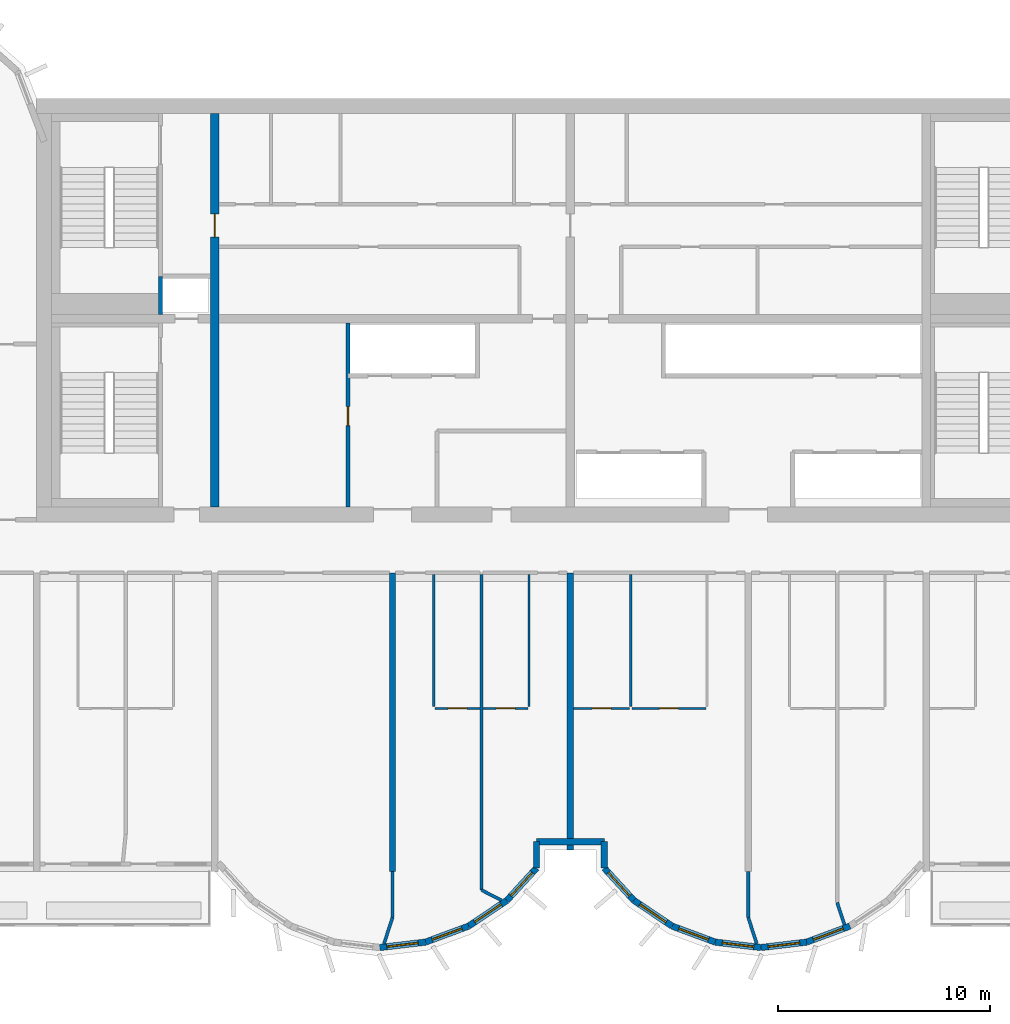
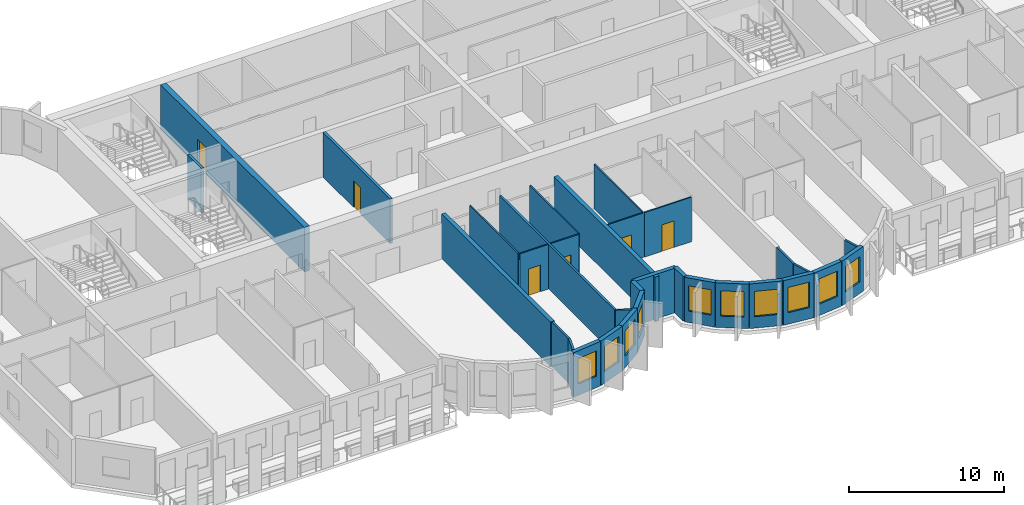
# One storey, part 4 of 13: 32 walls, 10 windows, 6 doors, 16 openings.
"""IFC4 building model written with IfcOpenShell, lengths in metres."""

from ifc_helpers import new_model, si_unit, direction, frame, frame_2d, origin, place, context, subcontext, project, spatial, rectangle, extrude, source, transform, mapped, material, layer, layer_set, type_object, element, fill, save


model = new_model("IFC4")

# Units and contexts
model_context = context("Model", 3, precision=1e-05, world=origin(), true_north=direction((0.0, 1.0)))
body_context = subcontext(model_context, "Body", "Model", "MODEL_VIEW")
ifc_project = project(units=[si_unit("LENGTHUNIT", "METRE"), si_unit("AREAUNIT", "SQUARE_METRE"), si_unit("VOLUMEUNIT", "CUBIC_METRE"), si_unit("PLANEANGLEUNIT", "RADIAN"), si_unit("MASSUNIT", "GRAM", prefix="KILO")], contexts=[model_context])

# Site, building, storey
site_placement = place(None, origin())
site = spatial("IfcSite", under=ifc_project, at=site_placement, CompositionType="ELEMENT")
building_placement = place(site_placement, origin())
building = spatial("IfcBuilding", under=site, at=building_placement, Name="Vanashikhar Sky Hotel", CompositionType="ELEMENT")
storey_placement = place(building_placement, frame((0.0, 0.0, 159.199951171875)))
storey = spatial("IfcBuildingStorey", under=building, at=storey_placement, Name="L38", CompositionType="ELEMENT", Elevation=159.199951171875)

# Wall, opening, door
ifc_material_1 = material(Name="Concrete M60", Category="concrete")
ifc_layer_1 = layer(ifc_material_1, 0.39990234375)
ifc_layer_set_1 = layer_set([ifc_layer_1], Name="RC core inner wall 400 Concrete M60")
wall_type_1 = type_object("IfcWallType", Name="RC core inner wall 400 Concrete M60", PredefinedType="SHEAR", material=ifc_layer_set_1)
shared_shape_1 = source(origin(), body_context, "Body", "SweptSolid", [
    extrude(rectangle(XDim=18.60009765625, YDim=0.39990234375, at=frame_2d((9.300048828125, 0.0))), origin(), (0.0, 0.0, 1.0), 3.52001953125),
])
wall_1_placement = place(storey_placement, frame((33.60009765625, 22.699951171875, 0.0), z_axis=(0.0, 0.0, 1.0), x_axis=(0.0, 1.0, 0.0)))
wall_1 = element("IfcWall", 1, at=wall_1_placement, inside=storey, type_object=wall_type_1, Name="KW-L38-KX1", PredefinedType="SHEAR", context=body_context, shape_type="MappedRepresentation", body=[
    mapped(shared_shape_1, transform((0.0, 0.0, 0.0), scale=1.0)),
])
shared_shape_2 = source(origin(), body_context, "Body", "SweptSolid", [
    extrude(rectangle(XDim=1.10009765625, YDim=2.10009765625, at=frame_2d((0.550048828125, 1.050048828125))), frame((0.0, 0.2099609375, 0.0), z_axis=(0.0, -1.0, 0.0), x_axis=(1.0, 0.0, 0.0)), (0.0, 0.0, 1.0), 0.419921875),
])
opening_1_placement = place(wall_1_placement, frame((12.75, 0.0, 0.0)))
opening_1 = element("IfcOpeningElement", 2, at=opening_1_placement, cuts=wall_1, Name="Opening DC-4-C", PredefinedType="OPENING", context=body_context, shape_type="MappedRepresentation", body=[
    mapped(shared_shape_2, transform((0.0, 0.0, 0.0), scale=1.0)),
])
ifc_material_2 = material(Name="Steel", Category="steel")
door_type_1 = type_object("IfcDoorType", Name="Service door 1100 FD60", OperationType="NOTDEFINED", PredefinedType="DOOR", material=ifc_material_2)
shared_shape_3 = source(origin(), body_context, "Body", "SweptSolid", [
    extrude(rectangle(XDim=1.10009765625, YDim=2.10009765625, at=frame_2d((0.550048828125, 1.050048828125))), frame((0.0, 0.02490234375, 0.0), z_axis=(0.0, -1.0, 0.0), x_axis=(1.0, 0.0, 0.0)), (0.0, 0.0, 1.0), 0.050048828125),
])
door_1_placement = place(opening_1_placement, origin())
door_1 = element("IfcDoor", 3, at=door_1_placement, inside=storey, type_object=door_type_1, Name="Service door 1100 FD60", OperationType="SINGLE_SWING_LEFT", OverallHeight=2.10009765625, OverallWidth=1.10009765625, PredefinedType="DOOR", context=body_context, shape_type="MappedRepresentation", body=[
    mapped(shared_shape_3, transform((0.0, 0.0, 0.0), scale=1.0)),
])
fill(opening_1, door_1)

# Walls
ifc_layer_2 = layer(ifc_material_1, 0.300048828125)
ifc_layer_set_2 = layer_set([ifc_layer_2], Name="RC shear wall 300 Concrete M60")
wall_type_2 = type_object("IfcWallType", Name="RC shear wall 300 Concrete M60", PredefinedType="SHEAR", material=ifc_layer_set_2)
shared_shape_4 = source(origin(), body_context, "Body", "SweptSolid", [
    extrude(rectangle(XDim=14.10009765625, YDim=0.300048828125, at=frame_2d((7.050048828125, 0.0))), origin(), (0.0, 0.0, 1.0), 3.52001953125),
])
wall_2_placement = place(storey_placement, frame((42.0, 5.5, 0.0), z_axis=(0.0, 0.0, 1.0), x_axis=(0.0, 1.0, 0.0)))
element("IfcWall", 4, at=wall_2_placement, inside=storey, type_object=wall_type_2, Name="CW-L38-XW06-1", PredefinedType="SHEAR", context=body_context, shape_type="MappedRepresentation", body=[
    mapped(shared_shape_4, transform((0.0, 0.0, 0.0), scale=1.0)),
])
shared_shape_5 = source(origin(), body_context, "Body", "SweptSolid", [
    extrude(rectangle(XDim=13.10009765625, YDim=0.300048828125, at=frame_2d((6.550048828125, 0.0))), origin(), (0.0, 0.0, 1.0), 3.52001953125),
])
wall_3_placement = place(storey_placement, frame((50.39990234375, 6.5, 0.0), z_axis=(0.0, 0.0, 1.0), x_axis=(0.0, 1.0, 0.0)))
element("IfcWall", 5, at=wall_3_placement, inside=storey, type_object=wall_type_2, Name="CW-L38-XW07-1", PredefinedType="SHEAR", context=body_context, shape_type="MappedRepresentation", body=[
    mapped(shared_shape_5, transform((0.0, 0.0, 0.0), scale=1.0)),
])

# Wall, opening, window
ifc_material_3 = material(Name="Concrete M50", Category="concrete")
ifc_layer_3 = layer(ifc_material_3, 0.300048828125)
ifc_layer_set_3 = layer_set([ifc_layer_3], Name="Lobe wall 300")
wall_type_3 = type_object("IfcWallType", Name="Lobe wall 300", PredefinedType="SOLIDWALL", material=ifc_layer_set_3)
shared_shape_6 = source(origin(), body_context, "Body", "SweptSolid", [
    extrude(rectangle(XDim=2.17578125, YDim=0.300048828125, at=frame_2d((1.087890625, 0.0))), origin(), (0.0, 0.0, 1.0), 3.52001953125),
])
wall_4_placement = place(storey_placement, frame((45.59912109375, 2.91650390625, 0.0), z_axis=(0.0, 0.0, 1.0), x_axis=(0.829625727223, 0.558319937607, 0.0)))
wall_4 = element("IfcWall", 6, at=wall_4_placement, inside=storey, type_object=wall_type_3, Name="Lobe wall", PredefinedType="SOLIDWALL", context=body_context, shape_type="MappedRepresentation", body=[
    mapped(shared_shape_6, transform((0.0, 0.0, 0.0), scale=1.0)),
])
shared_shape_7 = source(origin(), body_context, "Body", "SweptSolid", [
    extrude(rectangle(XDim=1.5, YDim=2.0, at=frame_2d((0.75, 1.0))), frame((0.0, 0.16015625, 0.0), z_axis=(0.0, -1.0, 0.0), x_axis=(1.0, 0.0, 0.0)), (0.0, 0.0, 1.0), 0.320068359375),
])
opening_2_placement = place(wall_4_placement, frame((0.337890625, 0.0, 0.89990234375)))
opening_2 = element("IfcOpeningElement", 7, at=opening_2_placement, cuts=wall_4, Name="Opening WN-2", PredefinedType="OPENING", context=body_context, shape_type="MappedRepresentation", body=[
    mapped(shared_shape_7, transform((0.0, 0.0, 0.0), scale=1.0)),
])
ifc_material_4 = material(Name="Glass", Category="glass")
window_type = type_object("IfcWindowType", Name="Lobe window 1500 x 2000", PartitioningType="SINGLE_PANEL", PredefinedType="WINDOW", material=ifc_material_4)
shared_shape_8 = source(origin(), body_context, "Body", "SweptSolid", [
    extrude(rectangle(XDim=1.5, YDim=2.0, at=frame_2d((0.75, 1.0))), frame((0.0, 0.030029296875, 0.0), z_axis=(0.0, -1.0, 0.0), x_axis=(1.0, 0.0, 0.0)), (0.0, 0.0, 1.0), 0.06005859375),
])
window_1_placement = place(opening_2_placement, origin())
window_1 = element("IfcWindow", 8, at=window_1_placement, inside=storey, type_object=window_type, Name="Window WN-2", OverallHeight=2.0, OverallWidth=1.5, PartitioningType="SINGLE_PANEL", PredefinedType="WINDOW", context=body_context, shape_type="MappedRepresentation", body=[
    mapped(shared_shape_8, transform((0.0, 0.0, 0.0), scale=1.0)),
])
fill(opening_2, window_1)

wall_5_placement = place(storey_placement, frame((53.395751953125, 4.13134765625, 0.0), z_axis=(0.0, 0.0, 1.0), x_axis=(0.829590746428, -0.558371913192, 0.0)))
wall_5 = element("IfcWall", 9, at=wall_5_placement, inside=storey, type_object=wall_type_3, Name="Lobe wall", PredefinedType="SOLIDWALL", context=body_context, shape_type="MappedRepresentation", body=[
    mapped(shared_shape_6, transform((0.0, 0.0, 0.0), scale=1.0)),
])
opening_3_placement = place(wall_5_placement, frame((0.337890625, 0.0, 0.89990234375)))
opening_3 = element("IfcOpeningElement", 10, at=opening_3_placement, cuts=wall_5, Name="Opening WN-2", PredefinedType="OPENING", context=body_context, shape_type="MappedRepresentation", body=[
    mapped(shared_shape_7, transform((0.0, 0.0, 0.0), scale=1.0)),
])
window_2_placement = place(opening_3_placement, origin())
window_2 = element("IfcWindow", 11, at=window_2_placement, inside=storey, type_object=window_type, Name="Window WN-2", OverallHeight=2.0, OverallWidth=1.5, PartitioningType="SINGLE_PANEL", PredefinedType="WINDOW", context=body_context, shape_type="MappedRepresentation", body=[
    mapped(shared_shape_8, transform((0.0, 0.0, 0.0), scale=1.0)),
])
fill(opening_3, window_2)

wall_6_placement = place(storey_placement, frame((55.20068359375, 2.91650390625, 0.0), z_axis=(0.0, 0.0, 1.0), x_axis=(0.93754555999, -0.347862505801, 0.0)))
wall_6 = element("IfcWall", 12, at=wall_6_placement, inside=storey, type_object=wall_type_3, Name="Lobe wall", PredefinedType="SOLIDWALL", context=body_context, shape_type="MappedRepresentation", body=[
    mapped(shared_shape_6, transform((0.0, 0.0, 0.0), scale=1.0)),
])
opening_4_placement = place(wall_6_placement, frame((0.337890625, 0.0, 0.89990234375)))
opening_4 = element("IfcOpeningElement", 13, at=opening_4_placement, cuts=wall_6, Name="Opening WN-2", PredefinedType="OPENING", context=body_context, shape_type="MappedRepresentation", body=[
    mapped(shared_shape_7, transform((0.0, 0.0, 0.0), scale=1.0)),
])
window_3_placement = place(opening_4_placement, origin())
window_3 = element("IfcWindow", 14, at=window_3_placement, inside=storey, type_object=window_type, Name="Window WN-2", OverallHeight=2.0, OverallWidth=1.5, PartitioningType="SINGLE_PANEL", PredefinedType="WINDOW", context=body_context, shape_type="MappedRepresentation", body=[
    mapped(shared_shape_8, transform((0.0, 0.0, 0.0), scale=1.0)),
])
fill(opening_4, window_3)

shared_shape_9 = source(origin(), body_context, "Body", "SweptSolid", [
    extrude(rectangle(XDim=2.174560546875, YDim=0.300048828125, at=frame_2d((1.08740234375, 0.0))), origin(), (0.0, 0.0, 1.0), 3.52001953125),
])
wall_7_placement = place(storey_placement, frame((57.240478515625, 2.15966796875, 0.0), z_axis=(0.0, 0.0, 1.0), x_axis=(0.993001132889, -0.118104826659, 0.0)))
wall_7 = element("IfcWall", 15, at=wall_7_placement, inside=storey, type_object=wall_type_3, Name="Lobe wall", PredefinedType="SOLIDWALL", context=body_context, shape_type="MappedRepresentation", body=[
    mapped(shared_shape_9, transform((0.0, 0.0, 0.0), scale=1.0)),
])
opening_5_placement = place(wall_7_placement, frame((0.33740234375, 0.0, 0.89990234375)))
opening_5 = element("IfcOpeningElement", 16, at=opening_5_placement, cuts=wall_7, Name="Opening WN-2", PredefinedType="OPENING", context=body_context, shape_type="MappedRepresentation", body=[
    mapped(shared_shape_7, transform((0.0, 0.0, 0.0), scale=1.0)),
])
window_4_placement = place(opening_5_placement, origin())
window_4 = element("IfcWindow", 17, at=window_4_placement, inside=storey, type_object=window_type, Name="Window WN-2", OverallHeight=2.0, OverallWidth=1.5, PartitioningType="SINGLE_PANEL", PredefinedType="WINDOW", context=body_context, shape_type="MappedRepresentation", body=[
    mapped(shared_shape_8, transform((0.0, 0.0, 0.0), scale=1.0)),
])
fill(opening_5, window_4)

shared_shape_10 = source(origin(), body_context, "Body", "SweptSolid", [
    extrude(rectangle(XDim=2.1748046875, YDim=0.300048828125, at=frame_2d((1.08740234375, 0.0))), origin(), (0.0, 0.0, 1.0), 3.52001953125),
])
wall_8_placement = place(storey_placement, frame((41.39990234375, 1.90283203125, 0.0), z_axis=(0.0, 0.0, 1.0), x_axis=(0.993002698611, 0.118091661648, 0.0)))
wall_8 = element("IfcWall", 18, at=wall_8_placement, inside=storey, type_object=wall_type_3, Name="Lobe wall", PredefinedType="SOLIDWALL", context=body_context, shape_type="MappedRepresentation", body=[
    mapped(shared_shape_10, transform((0.0, 0.0, 0.0), scale=1.0)),
])
opening_6_placement = place(wall_8_placement, frame((0.33740234375, 0.0, 0.89990234375)))
opening_6 = element("IfcOpeningElement", 19, at=opening_6_placement, cuts=wall_8, Name="Opening WN-2", PredefinedType="OPENING", context=body_context, shape_type="MappedRepresentation", body=[
    mapped(shared_shape_7, transform((0.0, 0.0, 0.0), scale=1.0)),
])
window_5_placement = place(opening_6_placement, origin())
window_5 = element("IfcWindow", 20, at=window_5_placement, inside=storey, type_object=window_type, Name="Window WN-2", OverallHeight=2.0, OverallWidth=1.5, PartitioningType="SINGLE_PANEL", PredefinedType="WINDOW", context=body_context, shape_type="MappedRepresentation", body=[
    mapped(shared_shape_8, transform((0.0, 0.0, 0.0), scale=1.0)),
])
fill(opening_6, window_5)

wall_9_placement = place(storey_placement, frame((59.39990234375, 1.90283203125, 0.0), z_axis=(0.0, 0.0, 1.0), x_axis=(0.993002698611, 0.118091661648, 0.0)))
wall_9 = element("IfcWall", 21, at=wall_9_placement, inside=storey, type_object=wall_type_3, Name="Lobe wall", PredefinedType="SOLIDWALL", context=body_context, shape_type="MappedRepresentation", body=[
    mapped(shared_shape_10, transform((0.0, 0.0, 0.0), scale=1.0)),
])
opening_7_placement = place(wall_9_placement, frame((0.33740234375, 0.0, 0.89990234375)))
opening_7 = element("IfcOpeningElement", 22, at=opening_7_placement, cuts=wall_9, Name="Opening WN-2", PredefinedType="OPENING", context=body_context, shape_type="MappedRepresentation", body=[
    mapped(shared_shape_7, transform((0.0, 0.0, 0.0), scale=1.0)),
])
window_6_placement = place(opening_7_placement, origin())
window_6 = element("IfcWindow", 23, at=window_6_placement, inside=storey, type_object=window_type, Name="Window WN-2", OverallHeight=2.0, OverallWidth=1.5, PartitioningType="SINGLE_PANEL", PredefinedType="WINDOW", context=body_context, shape_type="MappedRepresentation", body=[
    mapped(shared_shape_8, transform((0.0, 0.0, 0.0), scale=1.0)),
])
fill(opening_7, window_6)

shared_shape_11 = source(origin(), body_context, "Body", "SweptSolid", [
    extrude(rectangle(XDim=2.175537109375, YDim=0.300048828125, at=frame_2d((1.087890625, 0.0))), origin(), (0.0, 0.0, 1.0), 3.52001953125),
])
wall_10_placement = place(storey_placement, frame((43.5595703125, 2.15966796875, 0.0), z_axis=(0.0, 0.0, 1.0), x_axis=(0.937531979054, 0.347899106424, 0.0)))
wall_10 = element("IfcWall", 24, at=wall_10_placement, inside=storey, type_object=wall_type_3, Name="Lobe wall", PredefinedType="SOLIDWALL", context=body_context, shape_type="MappedRepresentation", body=[
    mapped(shared_shape_11, transform((0.0, 0.0, 0.0), scale=1.0)),
])
opening_8_placement = place(wall_10_placement, frame((0.337890625, 0.0, 0.89990234375)))
opening_8 = element("IfcOpeningElement", 25, at=opening_8_placement, cuts=wall_10, Name="Opening WN-2", PredefinedType="OPENING", context=body_context, shape_type="MappedRepresentation", body=[
    mapped(shared_shape_7, transform((0.0, 0.0, 0.0), scale=1.0)),
])
window_7_placement = place(opening_8_placement, origin())
window_7 = element("IfcWindow", 26, at=window_7_placement, inside=storey, type_object=window_type, Name="Window WN-2", OverallHeight=2.0, OverallWidth=1.5, PartitioningType="SINGLE_PANEL", PredefinedType="WINDOW", context=body_context, shape_type="MappedRepresentation", body=[
    mapped(shared_shape_8, transform((0.0, 0.0, 0.0), scale=1.0)),
])
fill(opening_8, window_7)

wall_11_placement = place(storey_placement, frame((61.5595703125, 2.15966796875, 0.0), z_axis=(0.0, 0.0, 1.0), x_axis=(0.937531979054, 0.347899106424, 0.0)))
wall_11 = element("IfcWall", 27, at=wall_11_placement, inside=storey, type_object=wall_type_3, Name="Lobe wall", PredefinedType="SOLIDWALL", context=body_context, shape_type="MappedRepresentation", body=[
    mapped(shared_shape_11, transform((0.0, 0.0, 0.0), scale=1.0)),
])
opening_9_placement = place(wall_11_placement, frame((0.337890625, 0.0, 0.89990234375)))
opening_9 = element("IfcOpeningElement", 28, at=opening_9_placement, cuts=wall_11, Name="Opening WN-2", PredefinedType="OPENING", context=body_context, shape_type="MappedRepresentation", body=[
    mapped(shared_shape_7, transform((0.0, 0.0, 0.0), scale=1.0)),
])
window_8_placement = place(opening_9_placement, origin())
window_8 = element("IfcWindow", 29, at=window_8_placement, inside=storey, type_object=window_type, Name="Window WN-2", OverallHeight=2.0, OverallWidth=1.5, PartitioningType="SINGLE_PANEL", PredefinedType="WINDOW", context=body_context, shape_type="MappedRepresentation", body=[
    mapped(shared_shape_8, transform((0.0, 0.0, 0.0), scale=1.0)),
])
fill(opening_9, window_8)

shared_shape_12 = source(origin(), body_context, "Body", "SweptSolid", [
    extrude(rectangle(XDim=2.066650390625, YDim=0.300048828125, at=frame_2d((1.033203125, 0.0))), origin(), (0.0, 0.0, 1.0), 3.52001953125),
])
wall_12_placement = place(storey_placement, frame((47.404296875, 4.13134765625, 0.0), z_axis=(0.0, 0.0, 1.0), x_axis=(0.675355439877, 0.737492393065, 0.0)))
wall_12 = element("IfcWall", 30, at=wall_12_placement, inside=storey, type_object=wall_type_3, Name="Lobe wall", PredefinedType="SOLIDWALL", context=body_context, shape_type="MappedRepresentation", body=[
    mapped(shared_shape_12, transform((0.0, 0.0, 0.0), scale=1.0)),
])
opening_10_placement = place(wall_12_placement, frame((0.283447265625, 0.0, 0.89990234375)))
opening_10 = element("IfcOpeningElement", 31, at=opening_10_placement, cuts=wall_12, Name="Opening WN-2", PredefinedType="OPENING", context=body_context, shape_type="MappedRepresentation", body=[
    mapped(shared_shape_7, transform((0.0, 0.0, 0.0), scale=1.0)),
])
window_9_placement = place(opening_10_placement, origin())
window_9 = element("IfcWindow", 32, at=window_9_placement, inside=storey, type_object=window_type, Name="Window WN-2", OverallHeight=2.0, OverallWidth=1.5, PartitioningType="SINGLE_PANEL", PredefinedType="WINDOW", context=body_context, shape_type="MappedRepresentation", body=[
    mapped(shared_shape_8, transform((0.0, 0.0, 0.0), scale=1.0)),
])
fill(opening_10, window_9)

wall_13_placement = place(storey_placement, frame((52.0, 5.655517578125, 0.0), z_axis=(0.0, 0.0, 1.0), x_axis=(0.675355439877, -0.737492393065, 0.0)))
wall_13 = element("IfcWall", 33, at=wall_13_placement, inside=storey, type_object=wall_type_3, Name="Lobe wall", PredefinedType="SOLIDWALL", context=body_context, shape_type="MappedRepresentation", body=[
    mapped(shared_shape_12, transform((0.0, 0.0, 0.0), scale=1.0)),
])
opening_11_placement = place(wall_13_placement, frame((0.283447265625, 0.0, 0.89990234375)))
opening_11 = element("IfcOpeningElement", 34, at=opening_11_placement, cuts=wall_13, Name="Opening WN-2", PredefinedType="OPENING", context=body_context, shape_type="MappedRepresentation", body=[
    mapped(shared_shape_7, transform((0.0, 0.0, 0.0), scale=1.0)),
])
window_10_placement = place(opening_11_placement, origin())
window_10 = element("IfcWindow", 35, at=window_10_placement, inside=storey, type_object=window_type, Name="Window WN-2", OverallHeight=2.0, OverallWidth=1.5, PartitioningType="SINGLE_PANEL", PredefinedType="WINDOW", context=body_context, shape_type="MappedRepresentation", body=[
    mapped(shared_shape_8, transform((0.0, 0.0, 0.0), scale=1.0)),
])
fill(opening_11, window_10)

# Walls
shared_shape_13 = source(origin(), body_context, "Body", "SweptSolid", [
    extrude(rectangle(XDim=1.244384765625, YDim=0.300048828125, at=frame_2d((0.6220703125, 0.0))), origin(), (0.0, 0.0, 1.0), 3.52001953125),
])
for number, where, z_axis, x_axis, name in (
    (36, (48.800048828125, 5.655517578125, 0.0), (0.0, 0.0, 1.0), (0.0, 1.0, 0.0), "Groove wall"),
    (37, (52.0, 6.89990234375, 0.0), (0.0, 0.0, 1.0), (0.0, -1.0, 0.0), "Groove wall"),
):
    element("IfcWall", number, at=place(storey_placement, frame(where, z_axis=z_axis, x_axis=x_axis)), inside=storey, type_object=wall_type_3, Name=name, PredefinedType="SOLIDWALL", context=body_context, shape_type="MappedRepresentation", body=[
        mapped(shared_shape_13, transform((0.0, 0.0, 0.0), scale=1.0)),
    ])
shared_shape_14 = source(origin(), body_context, "Body", "SweptSolid", [
    extrude(rectangle(XDim=3.199951171875, YDim=0.300048828125, at=frame_2d((1.60009765625, 0.0))), origin(), (0.0, 0.0, 1.0), 3.52001953125),
])
wall_14_placement = place(storey_placement, frame((48.800048828125, 6.89990234375, 0.0), z_axis=(0.0, 0.0, 1.0), x_axis=(1.0, 0.0, 0.0)))
element("IfcWall", 38, at=wall_14_placement, inside=storey, type_object=wall_type_3, Name="Groove wall", PredefinedType="SOLIDWALL", context=body_context, shape_type="MappedRepresentation", body=[
    mapped(shared_shape_14, transform((0.0, 0.0, 0.0), scale=1.0)),
])

# Wall, opening, door
ifc_material_5 = material(Name="Gypsum board partition")
ifc_layer_4 = layer(ifc_material_5, 0.14990234375)
ifc_layer_set_4 = layer_set([ifc_layer_4], Name="Service partition 150")
wall_type_4 = type_object("IfcWallType", Name="Service partition 150", PredefinedType="PARTITIONING", material=ifc_layer_set_4)
shared_shape_15 = source(origin(), body_context, "Body", "SweptSolid", [
    extrude(rectangle(XDim=8.699951171875, YDim=0.199951171875, at=frame_2d((4.35009765625, 0.0))), origin(), (0.0, 0.0, 1.0), 3.52001953125),
])
wall_15_placement = place(storey_placement, frame((39.89990234375, 22.699951171875, 0.0), z_axis=(0.0, 0.0, 1.0), x_axis=(0.0, 1.0, 0.0)))
wall_15 = element("IfcWall", 39, at=wall_15_placement, inside=storey, type_object=wall_type_4, Name="Service partition 150", PredefinedType="PARTITIONING", context=body_context, shape_type="MappedRepresentation", body=[
    mapped(shared_shape_15, transform((0.0, 0.0, 0.0), scale=1.0)),
])
shared_shape_16 = source(origin(), body_context, "Body", "SweptSolid", [
    extrude(rectangle(XDim=0.89990234375, YDim=2.10009765625, at=frame_2d((0.449951171875, 1.050048828125))), frame((0.0, 0.10986328125, 0.0), z_axis=(0.0, -1.0, 0.0), x_axis=(1.0, 0.0, 0.0)), (0.0, 0.0, 1.0), 0.219970703125),
])
opening_12_placement = place(wall_15_placement, frame((3.85009765625, 0.0, 0.0)))
opening_12 = element("IfcOpeningElement", 40, at=opening_12_placement, cuts=wall_15, Name="Opening DC-4-A", PredefinedType="OPENING", context=body_context, shape_type="MappedRepresentation", body=[
    mapped(shared_shape_16, transform((0.0, 0.0, 0.0), scale=1.0)),
])
door_type_2 = type_object("IfcDoorType", Name="Service door 900 FD60", OperationType="NOTDEFINED", PredefinedType="DOOR", material=ifc_material_2)
shared_shape_17 = source(origin(), body_context, "Body", "SweptSolid", [
    extrude(rectangle(XDim=0.89990234375, YDim=2.10009765625, at=frame_2d((0.449951171875, 1.050048828125))), frame((0.0, 0.02490234375, 0.0), z_axis=(0.0, -1.0, 0.0), x_axis=(1.0, 0.0, 0.0)), (0.0, 0.0, 1.0), 0.050048828125),
])
door_2_placement = place(opening_12_placement, origin())
door_2 = element("IfcDoor", 41, at=door_2_placement, inside=storey, type_object=door_type_2, Name="Service door 900 FD60", OperationType="SINGLE_SWING_RIGHT", OverallHeight=2.10009765625, OverallWidth=0.89990234375, PredefinedType="DOOR", context=body_context, shape_type="MappedRepresentation", body=[
    mapped(shared_shape_17, transform((0.0, 0.0, 0.0), scale=1.0)),
])
fill(opening_12, door_2)

# Walls
ifc_material_6 = material(Name="Concrete M40", Category="concrete")
ifc_layer_5 = layer(ifc_material_6, 0.199951171875)
ifc_layer_set_5 = layer_set([ifc_layer_5], Name="Shaft wall 200")
wall_type_5 = type_object("IfcWallType", Name="Shaft wall 200", PredefinedType="SOLIDWALL", material=ifc_layer_set_5)
shared_shape_18 = source(origin(), body_context, "Body", "SweptSolid", [
    extrude(rectangle(XDim=1.800048828125, YDim=0.199951171875, at=frame_2d((0.89990234375, 0.0))), origin(), (0.0, 0.0, 1.0), 3.52001953125),
])
wall_16_placement = place(storey_placement, frame((31.050048828125, 31.800048828125, 0.0), z_axis=(0.0, 0.0, 1.0), x_axis=(0.0, 1.0, 0.0)))
element("IfcWall", 42, at=wall_16_placement, inside=storey, type_object=wall_type_5, Name="Shaft wall 200", PredefinedType="SOLIDWALL", context=body_context, shape_type="MappedRepresentation", body=[
    mapped(shared_shape_18, transform((0.0, 0.0, 0.0), scale=1.0)),
])
ifc_material_7 = material(Name="Gypsum plasterboard partition")
ifc_layer_6 = layer(ifc_material_7, 0.14990234375)
ifc_layer_set_6 = layer_set([ifc_layer_6], Name="Corridor and demising partition 150")
wall_type_6 = type_object("IfcWallType", Name="Corridor and demising partition 150", PredefinedType="PARTITIONING", material=ifc_layer_set_6)
shared_shape_19 = source(origin(), body_context, "Body", "SweptSolid", [
    extrude(rectangle(XDim=2.177978515625, YDim=0.14990234375, at=frame_2d((1.0888671875, 0.0))), origin(), (0.0, 0.0, 1.0), 3.52001953125),
])
for number, where, z_axis, x_axis, name in (
    (43, (42.0, 3.322021484375, 0.0), (0.0, 0.0, 1.0), (0.0, 1.0, 0.0), "W-L38-PW053"),
    (44, (58.800048828125, 3.322021484375, 0.0), (0.0, 0.0, 1.0), (0.0, 1.0, 0.0), "W-L38-PW054"),
):
    element("IfcWall", number, at=place(storey_placement, frame(where, z_axis=z_axis, x_axis=x_axis)), inside=storey, type_object=wall_type_6, Name=name, PredefinedType="PARTITIONING", context=body_context, shape_type="MappedRepresentation", body=[
        mapped(shared_shape_19, transform((0.0, 0.0, 0.0), scale=1.0)),
    ])

# Wall, opening, door
ifc_layer_7 = layer(ifc_material_7, 0.10009765625)
ifc_layer_set_7 = layer_set([ifc_layer_7], Name="Wet room partition 100")
wall_type_7 = type_object("IfcWallType", Name="Wet room partition 100", PredefinedType="PARTITIONING", material=ifc_layer_set_7)
shared_shape_20 = source(origin(), body_context, "Body", "SweptSolid", [
    extrude(rectangle(XDim=3.5, YDim=0.10009765625, at=frame_2d((1.75, 0.0))), origin(), (0.0, 0.0, 1.0), 3.52001953125),
])
wall_17_placement = place(storey_placement, frame((53.300048828125, 13.199951171875, 0.0), z_axis=(0.0, 0.0, 1.0), x_axis=(1.0, 0.0, 0.0)))
wall_17 = element("IfcWall", 45, at=wall_17_placement, inside=storey, type_object=wall_type_7, Name="W-L38-PW024", PredefinedType="PARTITIONING", context=body_context, shape_type="MappedRepresentation", body=[
    mapped(shared_shape_20, transform((0.0, 0.0, 0.0), scale=1.0)),
])
shared_shape_21 = source(origin(), body_context, "Body", "SweptSolid", [
    extrude(rectangle(XDim=0.89990234375, YDim=2.10009765625, at=frame_2d((0.449951171875, 1.050048828125))), frame((0.0, 0.06005859375, 0.0), z_axis=(0.0, -1.0, 0.0), x_axis=(1.0, 0.0, 0.0)), (0.0, 0.0, 1.0), 0.1201171875),
])
opening_13_placement = place(wall_17_placement, frame((1.300048828125, 0.0, 0.0)))
opening_13 = element("IfcOpeningElement", 46, at=opening_13_placement, cuts=wall_17, Name="Opening D-02", PredefinedType="OPENING", context=body_context, shape_type="MappedRepresentation", body=[
    mapped(shared_shape_21, transform((0.0, 0.0, 0.0), scale=1.0)),
])
ifc_material_8 = material(Name="Timber door", Category="wood")
door_type_3 = type_object("IfcDoorType", Name="Internal door 900", OperationType="NOTDEFINED", PredefinedType="DOOR", material=ifc_material_8)
door_3_placement = place(opening_13_placement, origin())
door_3 = element("IfcDoor", 47, at=door_3_placement, inside=storey, type_object=door_type_3, Name="D-L38-014", OperationType="SINGLE_SWING_RIGHT", OverallHeight=2.10009765625, OverallWidth=0.89990234375, PredefinedType="DOOR", context=body_context, shape_type="MappedRepresentation", body=[
    mapped(shared_shape_17, transform((0.0, 0.0, 0.0), scale=1.0)),
])
fill(opening_13, door_3)

# Walls
shared_shape_22 = source(origin(), body_context, "Body", "SweptSolid", [
    extrude(rectangle(XDim=1.100830078125, YDim=0.14990234375, at=frame_2d((0.55029296875, 0.0))), origin(), (0.0, 0.0, 1.0), 3.52001953125),
])
wall_18_placement = place(storey_placement, frame((63.343017578125, 2.98095703125, 0.0), z_axis=(0.0, 0.0, 1.0), x_axis=(-0.311567081539, 0.950224159712, 0.0)))
element("IfcWall", 48, at=wall_18_placement, inside=storey, type_object=wall_type_6, Name="W-L38-PW033B0", PredefinedType="PARTITIONING", context=body_context, shape_type="MappedRepresentation", body=[
    mapped(shared_shape_22, transform((0.0, 0.0, 0.0), scale=1.0)),
])
shared_shape_23 = source(origin(), body_context, "Body", "SweptSolid", [
    extrude(rectangle(XDim=1.0576171875, YDim=0.14990234375, at=frame_2d((0.52880859375, 0.0))), origin(), (0.0, 0.0, 1.0), 3.52001953125),
])
wall_19_placement = place(storey_placement, frame((47.139892578125, 4.134033203125, 0.0), z_axis=(0.0, 0.0, 1.0), x_axis=(-0.888723819054, 0.458442988218, 0.0)))
element("IfcWall", 49, at=wall_19_placement, inside=storey, type_object=wall_type_6, Name="W-L38-PW021B0", PredefinedType="PARTITIONING", context=body_context, shape_type="MappedRepresentation", body=[
    mapped(shared_shape_23, transform((0.0, 0.0, 0.0), scale=1.0)),
])
shared_shape_24 = source(origin(), body_context, "Body", "SweptSolid", [
    extrude(rectangle(XDim=1.308349609375, YDim=0.14990234375, at=frame_2d((0.654296875, 0.0))), origin(), (0.0, 0.0, 1.0), 3.52001953125),
])
for number, where, z_axis, x_axis, name in (
    (50, (41.597900390625, 2.076904296875, 0.0), (0.0, 0.0, 1.0), (0.307313512187, 0.951608325535, 0.0), "W-L38-PW053B0"),
    (51, (59.201904296875, 2.076904296875, 0.0), (0.0, 0.0, 1.0), (-0.307144529633, 0.951662880392, 0.0), "W-L38-PW054B0"),
):
    element("IfcWall", number, at=place(storey_placement, frame(where, z_axis=z_axis, x_axis=x_axis)), inside=storey, type_object=wall_type_6, Name=name, PredefinedType="PARTITIONING", context=body_context, shape_type="MappedRepresentation", body=[
        mapped(shared_shape_24, transform((0.0, 0.0, 0.0), scale=1.0)),
    ])
shared_shape_25 = source(origin(), body_context, "Body", "SweptSolid", [
    extrude(rectangle(XDim=6.25, YDim=0.10009765625, at=frame_2d((3.125, 0.0))), origin(), (0.0, 0.0, 1.0), 3.52001953125),
])
for number, where, z_axis, x_axis, name in (
    (52, (43.949951171875, 13.27490234375, 0.0), (0.0, 0.0, 1.0), (0.0, 1.0, 0.0), "W-L38-PW015"),
    (53, (48.449951171875, 13.27490234375, 0.0), (0.0, 0.0, 1.0), (0.0, 1.0, 0.0), "W-L38-PW018"),
    (54, (53.25, 13.27490234375, 0.0), (0.0, 0.0, 1.0), (0.0, 1.0, 0.0), "W-L38-PW023"),
):
    element("IfcWall", number, at=place(storey_placement, frame(where, z_axis=z_axis, x_axis=x_axis)), inside=storey, type_object=wall_type_7, Name=name, PredefinedType="PARTITIONING", context=body_context, shape_type="MappedRepresentation", body=[
        mapped(shared_shape_25, transform((0.0, 0.0, 0.0), scale=1.0)),
    ])
shared_shape_26 = source(origin(), body_context, "Body", "SweptSolid", [
    extrude(rectangle(XDim=14.906005859375, YDim=0.14990234375, at=frame_2d((7.453125, 0.0))), origin(), (0.0, 0.0, 1.0), 3.52001953125),
])
wall_20_placement = place(storey_placement, frame((46.199951171875, 4.618896484375, 0.0), z_axis=(0.0, 0.0, 1.0), x_axis=(0.0, 1.0, 0.0)))
element("IfcWall", 55, at=wall_20_placement, inside=storey, type_object=wall_type_6, Name="W-L38-PW021", PredefinedType="PARTITIONING", context=body_context, shape_type="MappedRepresentation", body=[
    mapped(shared_shape_26, transform((0.0, 0.0, 0.0), scale=1.0)),
])

# Wall, opening, door
shared_shape_27 = source(origin(), body_context, "Body", "SweptSolid", [
    extrude(rectangle(XDim=2.125, YDim=0.10009765625, at=frame_2d((1.0625, 0.0))), origin(), (0.0, 0.0, 1.0), 3.52001953125),
])
wall_21_placement = place(storey_placement, frame((44.0, 13.199951171875, 0.0), z_axis=(0.0, 0.0, 1.0), x_axis=(1.0, 0.0, 0.0)))
wall_21 = element("IfcWall", 56, at=wall_21_placement, inside=storey, type_object=wall_type_7, Name="W-L38-PW016", PredefinedType="PARTITIONING", context=body_context, shape_type="MappedRepresentation", body=[
    mapped(shared_shape_27, transform((0.0, 0.0, 0.0), scale=1.0)),
])
opening_14_placement = place(wall_21_placement, frame((0.612060546875, 0.0, 0.0)))
opening_14 = element("IfcOpeningElement", 57, at=opening_14_placement, cuts=wall_21, Name="Opening D-02", PredefinedType="OPENING", context=body_context, shape_type="MappedRepresentation", body=[
    mapped(shared_shape_21, transform((0.0, 0.0, 0.0), scale=1.0)),
])
door_4_placement = place(opening_14_placement, origin())
door_4 = element("IfcDoor", 58, at=door_4_placement, inside=storey, type_object=door_type_3, Name="D-L38-010", OperationType="SINGLE_SWING_LEFT", OverallHeight=2.10009765625, OverallWidth=0.89990234375, PredefinedType="DOOR", context=body_context, shape_type="MappedRepresentation", body=[
    mapped(shared_shape_17, transform((0.0, 0.0, 0.0), scale=1.0)),
])
fill(opening_14, door_4)

wall_22_placement = place(storey_placement, frame((46.27490234375, 13.199951171875, 0.0), z_axis=(0.0, 0.0, 1.0), x_axis=(1.0, 0.0, 0.0)))
wall_22 = element("IfcWall", 59, at=wall_22_placement, inside=storey, type_object=wall_type_7, Name="W-L38-PW019", PredefinedType="PARTITIONING", context=body_context, shape_type="MappedRepresentation", body=[
    mapped(shared_shape_27, transform((0.0, 0.0, 0.0), scale=1.0)),
])
opening_15_placement = place(wall_22_placement, frame((0.613037109375, 0.0, 0.0)))
opening_15 = element("IfcOpeningElement", 60, at=opening_15_placement, cuts=wall_22, Name="Opening D-02", PredefinedType="OPENING", context=body_context, shape_type="MappedRepresentation", body=[
    mapped(shared_shape_21, transform((0.0, 0.0, 0.0), scale=1.0)),
])
door_5_placement = place(opening_15_placement, origin())
door_5 = element("IfcDoor", 61, at=door_5_placement, inside=storey, type_object=door_type_3, Name="D-L38-012", OperationType="SINGLE_SWING_RIGHT", OverallHeight=2.10009765625, OverallWidth=0.89990234375, PredefinedType="DOOR", context=body_context, shape_type="MappedRepresentation", body=[
    mapped(shared_shape_17, transform((0.0, 0.0, 0.0), scale=1.0)),
])
fill(opening_15, door_5)

shared_shape_28 = source(origin(), body_context, "Body", "SweptSolid", [
    extrude(rectangle(XDim=2.64990234375, YDim=0.10009765625, at=frame_2d((1.324951171875, 0.0))), origin(), (0.0, 0.0, 1.0), 3.52001953125),
])
wall_23_placement = place(storey_placement, frame((50.550048828125, 13.199951171875, 0.0), z_axis=(0.0, 0.0, 1.0), x_axis=(1.0, 0.0, 0.0)))
wall_23 = element("IfcWall", 62, at=wall_23_placement, inside=storey, type_object=wall_type_7, Name="W-L38-PW025", PredefinedType="PARTITIONING", context=body_context, shape_type="MappedRepresentation", body=[
    mapped(shared_shape_28, transform((0.0, 0.0, 0.0), scale=1.0)),
])
opening_16_placement = place(wall_23_placement, frame((0.875, 0.0, 0.0)))
opening_16 = element("IfcOpeningElement", 63, at=opening_16_placement, cuts=wall_23, Name="Opening D-02", PredefinedType="OPENING", context=body_context, shape_type="MappedRepresentation", body=[
    mapped(shared_shape_21, transform((0.0, 0.0, 0.0), scale=1.0)),
])
door_6_placement = place(opening_16_placement, origin())
door_6 = element("IfcDoor", 64, at=door_6_placement, inside=storey, type_object=door_type_3, Name="D-L38-015", OperationType="SINGLE_SWING_RIGHT", OverallHeight=2.10009765625, OverallWidth=0.89990234375, PredefinedType="DOOR", context=body_context, shape_type="MappedRepresentation", body=[
    mapped(shared_shape_17, transform((0.0, 0.0, 0.0), scale=1.0)),
])
fill(opening_16, door_6)

save(model, "model.ifc")
